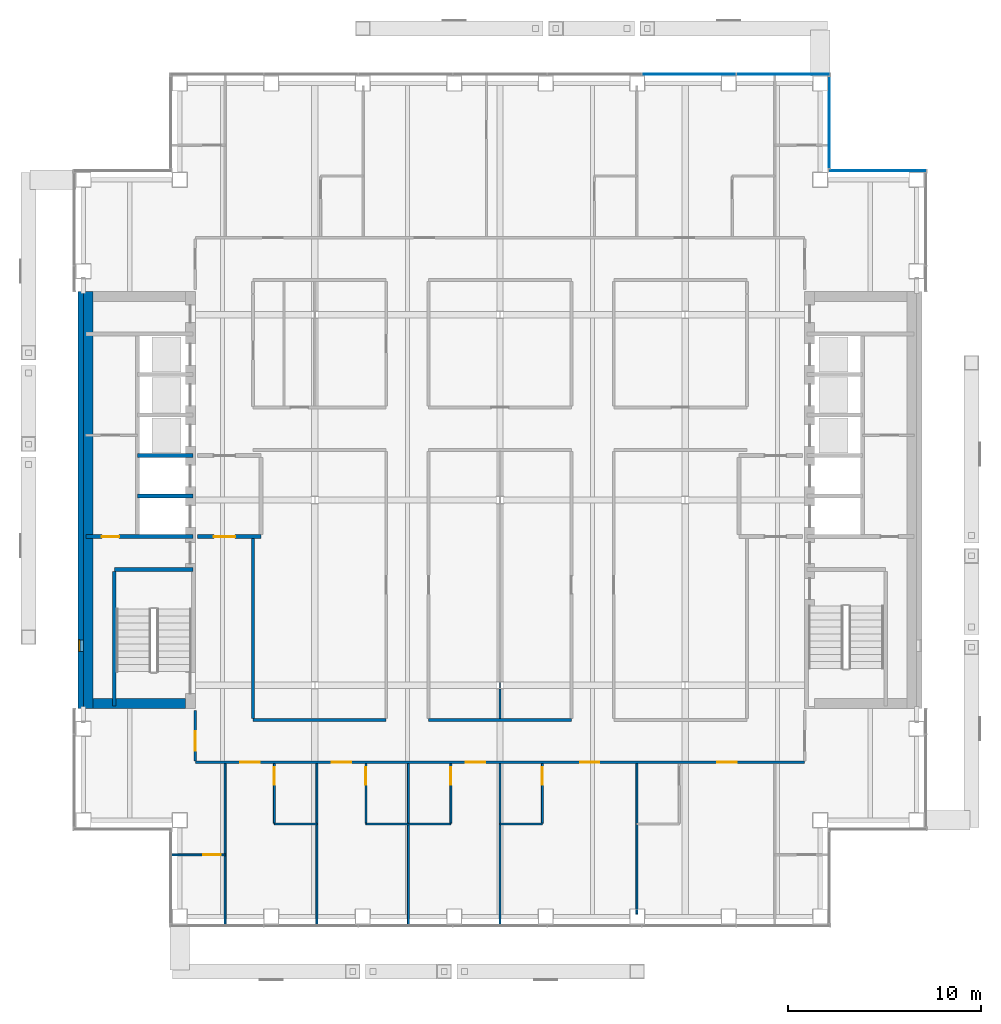
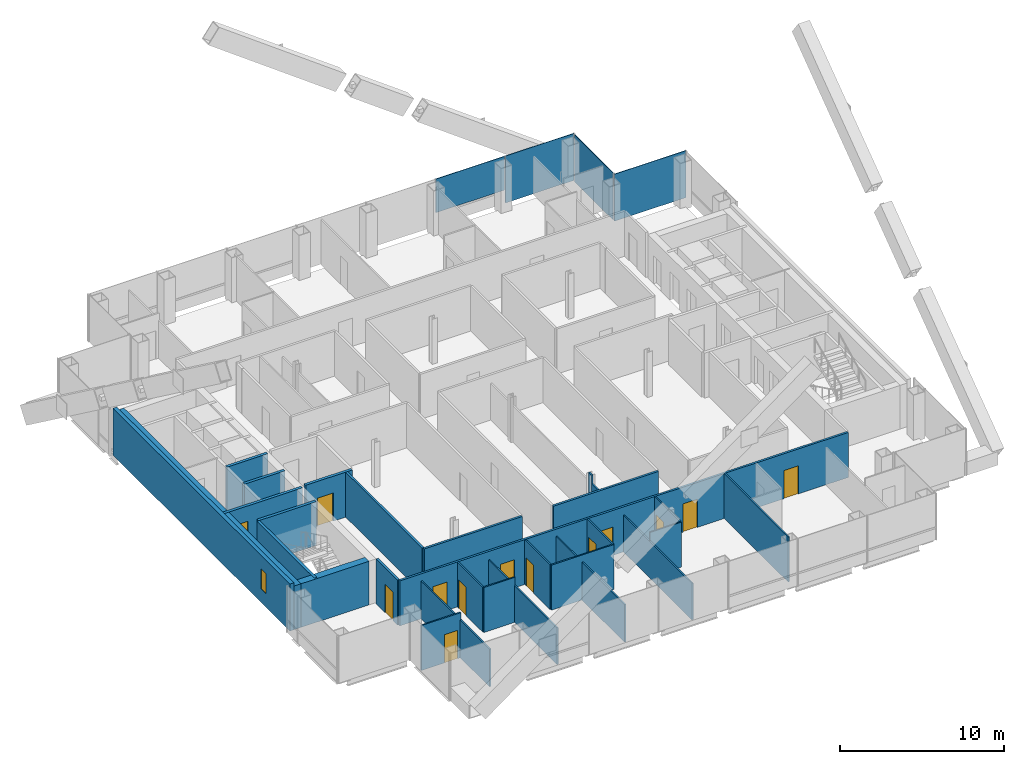
# One storey, part 12 of 17: 30 walls, 13 doors, 4 plates, 1 window, 14 openings, 3 elements without a shape of their own.
"""IFC4 building model written with IfcOpenShell, lengths in metres."""

import ifcopenshell
import ifcopenshell.guid

model = None  # the IFC model being written
_history = None  # IfcOwnerHistory: only IFC2X3 demands one
_inside = {}  # id of a spatial element -> (the spatial element, [elements in it])
_under = {}  # id of a project, library or spatial element -> (it, [spatial elements below it])
_declared = {}  # id of a project -> (the project, [libraries it declares])
_typed = {}  # id of a type object -> (the type object, [elements of that type])
_made_of = {}  # id of a material, layer set ... -> (it, [elements and type objects made of it])


def new_model(schema):
    """Start an empty IFC model of exactly this schema.

    Asked for "IFC4X3", IfcOpenShell would pick the latest addendum, in which some entities
    have other attributes; the version numbers below select the first issue.
    IFC2X3 requires an IfcOwnerHistory on every rooted entity: one is made here for all.
    """
    global model, _history
    if schema == "IFC4X3":
        model = ifcopenshell.file(schema_version=(4, 3, 0, 0))
    else:
        model = ifcopenshell.file(schema=schema)
    _inside.clear()
    _under.clear()
    _declared.clear()
    _typed.clear()
    _made_of.clear()
    _history = None
    if model.schema == "IFC2X3":
        org = make("IfcOrganization", Name="unknown")
        user = make(
            "IfcPersonAndOrganization",
            ThePerson=make("IfcPerson", FamilyName="unknown"),
            TheOrganization=org,
        )
        app = make(
            "IfcApplication",
            ApplicationDeveloper=org,
            Version="unknown",
            ApplicationFullName="unknown",
            ApplicationIdentifier="unknown",
        )
        _history = make(
            "IfcOwnerHistory",
            OwningUser=user,
            OwningApplication=app,
            ChangeAction="ADDED",
            CreationDate=0,
        )
    return model


def make(cls, **values):
    """One entity of the class cls with the attributes given. An attribute that is None is left unset."""
    return model.create_entity(
        cls, **{name: value for name, value in values.items() if value is not None}
    )


def rooted(cls, **values):
    """An entity with a GlobalId (a new one), such as an element, a storey or a relation."""
    return make(cls, GlobalId=ifcopenshell.guid.new(), OwnerHistory=_history, **values)


def si_unit(unit_type, name, prefix=None):
    """IfcSIUnit, for example si_unit("LENGTHUNIT", "METRE", prefix="MILLI")."""
    return make("IfcSIUnit", UnitType=unit_type, Prefix=prefix, Name=name)


def assignment(units):
    """IfcUnitAssignment: the units of a project."""
    return None if units is None else make("IfcUnitAssignment", Units=units)


def point(xyz):
    """IfcCartesianPoint."""
    return None if xyz is None else make("IfcCartesianPoint", Coordinates=xyz)


def direction(xyz):
    """IfcDirection."""
    return None if xyz is None else make("IfcDirection", DirectionRatios=xyz)


def frame(location, z_axis=None, x_axis=None):
    """IfcAxis2Placement3D, a coordinate frame: its origin and axes. An axis left out is left unset."""
    return make(
        "IfcAxis2Placement3D",
        Location=point(location),
        Axis=direction(z_axis),
        RefDirection=direction(x_axis),
    )


def frame_2d(location, x_axis=None):
    """IfcAxis2Placement2D, a coordinate frame in the plane: its origin and x axis."""
    return make(
        "IfcAxis2Placement2D", Location=point(location), RefDirection=direction(x_axis)
    )


def origin():
    """The frame at (0, 0, 0) with its axes left unset."""
    return frame((0.0, 0.0, 0.0))


def origin_2d():
    """The frame at (0, 0) in the plane with its x axis left unset."""
    return frame_2d((0.0, 0.0))


def place(relative_to, where):
    """IfcLocalPlacement: puts the frame where relative to a parent placement (None: the world)."""
    return make(
        "IfcLocalPlacement", PlacementRelTo=relative_to, RelativePlacement=where
    )


def context(
    kind, dimensions, precision=None, world=None, true_north=None, identifier=None
):
    """IfcGeometricRepresentationContext, for example the 3D "Model" context."""
    return make(
        "IfcGeometricRepresentationContext",
        ContextIdentifier=identifier,
        ContextType=kind,
        CoordinateSpaceDimension=dimensions,
        Precision=precision,
        WorldCoordinateSystem=world,
        TrueNorth=true_north,
    )


def subcontext(parent, identifier, kind, view, scale=None):
    """IfcGeometricRepresentationSubContext, for example "Body" below "Model"."""
    return make(
        "IfcGeometricRepresentationSubContext",
        ContextIdentifier=identifier,
        ContextType=kind,
        ParentContext=parent,
        TargetScale=scale,
        TargetView=view,
    )


def project(units=None, contexts=None):
    """IfcProject with its units and contexts."""
    return rooted(
        "IfcProject",
        Name="project",
        RepresentationContexts=contexts,
        UnitsInContext=assignment(units),
    )


def spatial(cls, under=None, at=None, **own):
    """A site, building, storey or space (cls), placed at a placement, below another one or the project."""
    s = rooted(cls, ObjectPlacement=at, **own)
    if under is not None:
        _under.setdefault(under.id(), (under, []))[1].append(s)
    return s


def profile(cls, at=None, kind="AREA", **sizes):
    """A parametric profile (cls). Its sizes go by their IFC names, for example OverallWidth=200.0."""
    return make(cls, ProfileType=kind, Position=at, **sizes)


def rectangle(**sizes):
    """IfcRectangleProfileDef."""
    return profile("IfcRectangleProfileDef", **sizes)


def extrude(swept, where, along, depth):
    """IfcExtrudedAreaSolid: the profile swept, set in the frame where, extruded along a direction by depth."""
    return make(
        "IfcExtrudedAreaSolid",
        SweptArea=swept,
        Position=where,
        ExtrudedDirection=direction(along),
        Depth=depth,
    )


def shape(context_of_items, identifier, shape_type, items):
    """IfcShapeRepresentation: the items that make up one representation, for example the "Body"."""
    return make(
        "IfcShapeRepresentation",
        ContextOfItems=context_of_items,
        RepresentationIdentifier=identifier,
        RepresentationType=shape_type,
        Items=items,
    )


def material(Name=None, Category=None):
    """IfcMaterial."""
    return make("IfcMaterial", Name=Name, Category=Category)


def layer(
    of_material, thickness, ventilated=None, Name=None, Category=None, Priority=None
):
    """IfcMaterialLayer: one layer of a wall or slab, of a material (None: an air gap)."""
    return make(
        "IfcMaterialLayer",
        Material=of_material,
        LayerThickness=thickness,
        IsVentilated=ventilated,
        Name=Name,
        Category=Category,
        Priority=Priority,
    )


def layer_set(layers, Name=None):
    """IfcMaterialLayerSet."""
    return make("IfcMaterialLayerSet", MaterialLayers=layers, LayerSetName=Name)


def made_of(thing, what):
    """Note that an element or type object is made of a material, layer set ...; save() writes the relation."""
    if what is not None:
        _made_of.setdefault(what.id(), (what, []))[1].append(thing)
    return thing


def type_object(cls, material=None, **own):
    """A type object (cls), such as IfcWallType, which elements share."""
    return made_of(rooted(cls, **own), material)


def element(
    cls,
    number,
    at=None,
    inside=None,
    cuts=None,
    type_object=None,
    material=None,
    context=None,
    identifier="Body",
    shape_type=None,
    held_by="IfcProductDefinitionShape",
    body=None,
    shapes=None,
    **own,
):
    """One element of the class cls, such as IfcWall. Its Tag is "e" and its number.

    at: its placement. inside: the storey or other place that contains it. cuts: it is an
    opening in that element (IfcRelVoidsElement). A single representation is given by context,
    identifier, shape_type and body (its items); several are given by shapes. held_by: the class
    of the entity that holds the representations. save() writes the other relations.
    """
    e = rooted(cls, Tag="e%d" % number, ObjectPlacement=at, **own)
    if body is not None:
        shapes = [shape(context, identifier, shape_type, body)]
    if shapes is not None:
        e.Representation = make(held_by, Representations=shapes)
    if inside is not None:
        _inside.setdefault(inside.id(), (inside, []))[1].append(e)
    if cuts is not None:
        rooted(
            "IfcRelVoidsElement", RelatingBuildingElement=cuts, RelatedOpeningElement=e
        )
    if type_object is not None:
        _typed.setdefault(type_object.id(), (type_object, []))[1].append(e)
    return made_of(e, material)


def fill(opening, filler):
    """IfcRelFillsElement: the door or window that sits in an opening."""
    return rooted(
        "IfcRelFillsElement",
        RelatingOpeningElement=opening,
        RelatedBuildingElement=filler,
    )


def aggregate(whole, parts):
    """IfcRelAggregates: a whole, such as a stair, and the parts it consists of."""
    return rooted("IfcRelAggregates", RelatingObject=whole, RelatedObjects=parts)


def save(model, path):
    """Write the relations noted so far, then the file.

    IfcRelAggregates (storeys below a building ...), IfcRelContainedInSpatialStructure (elements
    in a storey), IfcRelDefinesByType, IfcRelAssociatesMaterial and IfcRelDeclares: one each for
    every whole, place, type object, material and project.
    """
    for whole, parts in _under.values():
        aggregate(whole, parts)
    for where, things in _inside.values():
        rooted(
            "IfcRelContainedInSpatialStructure",
            RelatedElements=things,
            RelatingStructure=where,
        )
    for kind, things in _typed.values():
        rooted("IfcRelDefinesByType", RelatedObjects=things, RelatingType=kind)
    for what, things in _made_of.values():
        rooted("IfcRelAssociatesMaterial", RelatedObjects=things, RelatingMaterial=what)
    for by, libraries in _declared.values():
        rooted("IfcRelDeclares", RelatingContext=by, RelatedDefinitions=libraries)
    model.write(path)


model = new_model("IFC4")

# Units and contexts
model_context = context("Model", 3, precision=1e-05, world=origin(), true_north=direction((0.0, 1.0)))
body_context = subcontext(model_context, "Body", "Model", "MODEL_VIEW")
ifc_project = project(units=[si_unit("LENGTHUNIT", "METRE"), si_unit("AREAUNIT", "SQUARE_METRE"), si_unit("VOLUMEUNIT", "CUBIC_METRE"), si_unit("PLANEANGLEUNIT", "RADIAN"), si_unit("MASSUNIT", "GRAM", prefix="KILO")], contexts=[model_context])

# Site, building, storey
site_placement = place(None, origin())
site = spatial("IfcSite", under=ifc_project, at=site_placement, CompositionType="ELEMENT")
building_placement = place(site_placement, origin())
building = spatial("IfcBuilding", under=site, at=building_placement, Name="Cobrizo Arcos Hotel Tower", CompositionType="ELEMENT")
storey_placement = place(building_placement, frame((0.0, 0.0, 151.5)))
storey = spatial("IfcBuildingStorey", under=building, at=storey_placement, Name="L38", CompositionType="ELEMENT", Elevation=151.5)

# Curtain wall, plate
ifc_material_1 = material(Name="Aluminium 6063-T6 anodised bronze", Category="aluminium")
curtain_wall_type = type_object("IfcCurtainWallType", Name="CW-A guest facade", PredefinedType="NOTDEFINED", material=ifc_material_1)
curtain_wall_1_placement = place(storey_placement, origin())
curtain_wall_1 = element("IfcCurtainWall", 1, at=curtain_wall_1_placement, inside=storey, type_object=curtain_wall_type, Name="CW-A L38 N face", PredefinedType="NOTDEFINED")
ifc_material_2 = material(Name="Glass clear laminated low-e", Category="glass")
ifc_layer_1 = layer(ifc_material_2, 0.0400390625)
ifc_layer_set_1 = layer_set([ifc_layer_1], Name="CW-A glass panel")
plate_type_1 = type_object("IfcPlateType", Name="CW-A glass panel", PredefinedType="CURTAIN_PANEL", material=ifc_layer_set_1)
plate_1_placement = place(storey_placement, frame((9.800048828125, 22.074951171875, 0.990234375), z_axis=(0.0, 0.0, 1.0), x_axis=(-1.0, 0.0, 0.0)))
plate_1 = element("IfcPlate", 2, at=plate_1_placement, type_object=plate_type_1, Name="CW-A glass panel 1382", PredefinedType="CURTAIN_PANEL", context=body_context, shape_type="SweptSolid", body=[
    extrude(rectangle(XDim=4.840087890625, YDim=0.0400390625, at=origin_2d()), origin(), (0.0, 0.0, 1.0), 2.510009765625),
])

curtain_wall_2_placement = place(storey_placement, origin())
curtain_wall_2 = element("IfcCurtainWall", 3, at=curtain_wall_2_placement, inside=storey, type_object=curtain_wall_type, Name="CW-A L38 N face", PredefinedType="NOTDEFINED")
ifc_material_3 = material(Name="Aluminium composite panel pale metal", Category="aluminium")
ifc_layer_2 = layer(ifc_material_3, 0.0400390625)
ifc_layer_set_2 = layer_set([ifc_layer_2], Name="CW-A spandrel panel")
plate_type_2 = type_object("IfcPlateType", Name="CW-A spandrel panel", PredefinedType="CURTAIN_PANEL", material=ifc_layer_set_2)
plate_2_placement = place(storey_placement, frame((19.574951171875, 17.074951171875, 0.0), z_axis=(0.0, 0.0, 1.0), x_axis=(-1.0, 0.0, 0.0)))
plate_2 = element("IfcPlate", 4, at=plate_2_placement, type_object=plate_type_2, Name="CW-A spandrel panel 1379", PredefinedType="CURTAIN_PANEL", context=body_context, shape_type="SweptSolid", body=[
    extrude(rectangle(XDim=5.030029296875, YDim=0.0400390625, at=origin_2d()), origin(), (0.0, 0.0, 1.0), 3.5),
])
aggregate(curtain_wall_2, [plate_2])

curtain_wall_3_placement = place(storey_placement, origin())
curtain_wall_3 = element("IfcCurtainWall", 5, at=curtain_wall_3_placement, inside=storey, type_object=curtain_wall_type, Name="CW-A L38 E face", PredefinedType="NOTDEFINED")
plate_3_placement = place(storey_placement, frame((17.074951171875, 19.574951171875, 0.0), z_axis=(0.0, 0.0, 1.0), x_axis=(0.0, 1.0, 0.0)))
plate_3 = element("IfcPlate", 6, at=plate_3_placement, type_object=plate_type_2, Name="CW-A spandrel panel 1380", PredefinedType="CURTAIN_PANEL", context=body_context, shape_type="SweptSolid", body=[
    extrude(rectangle(XDim=4.72998046875, YDim=0.0400390625, at=origin_2d()), origin(), (0.0, 0.0, 1.0), 3.5),
])
aggregate(curtain_wall_3, [plate_3])

# Plate
plate_4_placement = place(storey_placement, frame((14.68505859375, 22.074951171875, 0.0), z_axis=(0.0, 0.0, 1.0), x_axis=(-1.0, 0.0, 0.0)))
plate_4 = element("IfcPlate", 7, at=plate_4_placement, type_object=plate_type_2, Name="CW-A spandrel panel 1381", PredefinedType="CURTAIN_PANEL", context=body_context, shape_type="SweptSolid", body=[
    extrude(rectangle(XDim=4.81005859375, YDim=0.0400390625, at=origin_2d()), origin(), (0.0, 0.0, 1.0), 3.5),
])

aggregate(curtain_wall_1, [plate_4, plate_1])

# Wall, openings, doors
ifc_material_4 = material(Name="Gypsum board partition")
ifc_layer_3 = layer(ifc_material_4, 0.14990234375)
ifc_layer_set_3 = layer_set([ifc_layer_3], Name="Corridor wall EI 60 150")
wall_type_1 = type_object("IfcWallType", Name="Corridor wall EI 60 150", PredefinedType="PARTITIONING", material=ifc_layer_set_3)
wall_1_placement = place(storey_placement, frame((-15.800048828125, -13.60009765625, 0.0), z_axis=(0.0, 0.0, 1.0), x_axis=(1.0, 0.0, 0.0)))
wall_1 = element("IfcWall", 8, at=wall_1_placement, inside=storey, type_object=wall_type_1, Name="Partition 007", PredefinedType="PARTITIONING", context=body_context, shape_type="SweptSolid", body=[
    extrude(rectangle(XDim=31.60009765625, YDim=0.14990234375, at=frame_2d((15.800048828125, 0.0))), origin(), (0.0, 0.0, 1.0), 3.35009765625),
])
opening_1_placement = place(wall_1_placement, frame((2.343017578125, 0.0, 0.0)))
opening_1 = element("IfcOpeningElement", 9, at=opening_1_placement, cuts=wall_1, Name="Opening GD-04", PredefinedType="OPENING", context=body_context, shape_type="SweptSolid", body=[
    extrude(rectangle(XDim=1.0, YDim=2.10009765625, at=frame_2d((0.5, 1.050048828125))), frame((0.0, 0.0869140625, 0.0), z_axis=(0.0, -1.0, 0.0), x_axis=(1.0, 0.0, 0.0)), (0.0, 0.0, 1.0), 0.173828125),
])
opening_2_placement = place(wall_1_placement, frame((7.0849609375, 0.0, 0.0)))
opening_2 = element("IfcOpeningElement", 10, at=opening_2_placement, cuts=wall_1, Name="Opening GD-05", PredefinedType="OPENING", context=body_context, shape_type="SweptSolid", body=[
    extrude(rectangle(XDim=1.0, YDim=2.10009765625, at=frame_2d((0.5, 1.050048828125))), frame((0.0, 0.0869140625, 0.0), z_axis=(0.0, -1.0, 0.0), x_axis=(1.0, 0.0, 0.0)), (0.0, 0.0, 1.0), 0.173828125),
])
opening_3_placement = place(wall_1_placement, frame((14.029052734375, 0.0, 0.0)))
opening_3 = element("IfcOpeningElement", 11, at=opening_3_placement, cuts=wall_1, Name="Opening GD-06", PredefinedType="OPENING", context=body_context, shape_type="SweptSolid", body=[
    extrude(rectangle(XDim=1.0, YDim=2.10009765625, at=frame_2d((0.5, 1.050048828125))), frame((0.0, 0.0869140625, 0.0), z_axis=(0.0, -1.0, 0.0), x_axis=(1.0, 0.0, 0.0)), (0.0, 0.0, 1.0), 0.173828125),
])
opening_4_placement = place(wall_1_placement, frame((19.95703125, 0.0, 0.0)))
opening_4 = element("IfcOpeningElement", 12, at=opening_4_placement, cuts=wall_1, Name="Opening GD-07", PredefinedType="OPENING", context=body_context, shape_type="SweptSolid", body=[
    extrude(rectangle(XDim=1.0, YDim=2.10009765625, at=frame_2d((0.5, 1.050048828125))), frame((0.0, 0.0869140625, 0.0), z_axis=(0.0, -1.0, 0.0), x_axis=(1.0, 0.0, 0.0)), (0.0, 0.0, 1.0), 0.173828125),
])
opening_5_placement = place(wall_1_placement, frame((27.072021484375, 0.0, 0.0)))
opening_5 = element("IfcOpeningElement", 13, at=opening_5_placement, cuts=wall_1, Name="Opening GD-08", PredefinedType="OPENING", context=body_context, shape_type="SweptSolid", body=[
    extrude(rectangle(XDim=1.0, YDim=2.10009765625, at=frame_2d((0.5, 1.050048828125))), frame((0.0, 0.0869140625, 0.0), z_axis=(0.0, -1.0, 0.0), x_axis=(1.0, 0.0, 0.0)), (0.0, 0.0, 1.0), 0.173828125),
])
ifc_material_5 = material(Name="Timber door leaf", Category="wood")
door_type_1 = type_object("IfcDoorType", Name="Guest room door FD30S 1000x2100", OperationType="SINGLE_SWING_LEFT", PredefinedType="DOOR", material=ifc_material_5)
door_1_placement = place(opening_1_placement, origin())
door_1 = element("IfcDoor", 14, at=door_1_placement, inside=storey, type_object=door_type_1, Name="Door GD-04", OperationType="SINGLE_SWING_LEFT", OverallHeight=2.10009765625, OverallWidth=1.0, PredefinedType="DOOR", context=body_context, shape_type="SweptSolid", body=[
    extrude(rectangle(XDim=1.0, YDim=2.10009765625, at=frame_2d((0.5, 1.050048828125))), frame((0.0, 0.02490234375, 0.0), z_axis=(0.0, -1.0, 0.0), x_axis=(1.0, 0.0, 0.0)), (0.0, 0.0, 1.0), 0.050048828125),
])
fill(opening_1, door_1)
door_2_placement = place(opening_2_placement, origin())
door_2 = element("IfcDoor", 15, at=door_2_placement, inside=storey, type_object=door_type_1, Name="Door GD-05", OperationType="SINGLE_SWING_LEFT", OverallHeight=2.10009765625, OverallWidth=1.0, PredefinedType="DOOR", context=body_context, shape_type="SweptSolid", body=[
    extrude(rectangle(XDim=1.0, YDim=2.10009765625, at=frame_2d((0.5, 1.050048828125))), frame((0.0, 0.02490234375, 0.0), z_axis=(0.0, -1.0, 0.0), x_axis=(1.0, 0.0, 0.0)), (0.0, 0.0, 1.0), 0.050048828125),
])
fill(opening_2, door_2)
door_3_placement = place(opening_3_placement, origin())
door_3 = element("IfcDoor", 16, at=door_3_placement, inside=storey, type_object=door_type_1, Name="Door GD-06", OperationType="SINGLE_SWING_RIGHT", OverallHeight=2.10009765625, OverallWidth=1.0, PredefinedType="DOOR", context=body_context, shape_type="SweptSolid", body=[
    extrude(rectangle(XDim=1.0, YDim=2.10009765625, at=frame_2d((0.5, 1.050048828125))), frame((0.0, 0.02490234375, 0.0), z_axis=(0.0, -1.0, 0.0), x_axis=(1.0, 0.0, 0.0)), (0.0, 0.0, 1.0), 0.050048828125),
])
fill(opening_3, door_3)
door_4_placement = place(opening_4_placement, origin())
door_4 = element("IfcDoor", 17, at=door_4_placement, inside=storey, type_object=door_type_1, Name="Door GD-07", OperationType="SINGLE_SWING_RIGHT", OverallHeight=2.10009765625, OverallWidth=1.0, PredefinedType="DOOR", context=body_context, shape_type="SweptSolid", body=[
    extrude(rectangle(XDim=1.0, YDim=2.10009765625, at=frame_2d((0.5, 1.050048828125))), frame((0.0, 0.02490234375, 0.0), z_axis=(0.0, -1.0, 0.0), x_axis=(1.0, 0.0, 0.0)), (0.0, 0.0, 1.0), 0.050048828125),
])
fill(opening_4, door_4)
door_5_placement = place(opening_5_placement, origin())
door_5 = element("IfcDoor", 18, at=door_5_placement, inside=storey, type_object=door_type_1, Name="Door GD-08", OperationType="SINGLE_SWING_LEFT", OverallHeight=2.10009765625, OverallWidth=1.0, PredefinedType="DOOR", context=body_context, shape_type="SweptSolid", body=[
    extrude(rectangle(XDim=1.0, YDim=2.10009765625, at=frame_2d((0.5, 1.050048828125))), frame((0.0, 0.02490234375, 0.0), z_axis=(0.0, -1.0, 0.0), x_axis=(1.0, 0.0, 0.0)), (0.0, 0.0, 1.0), 0.050048828125),
])
fill(opening_5, door_5)

# Walls
wall_2_placement = place(storey_placement, frame((-12.800048828125, -11.39990234375, 0.0), z_axis=(0.0, 0.0, 1.0), x_axis=(1.0, 0.0, 0.0)))
element("IfcWall", 19, at=wall_2_placement, inside=storey, type_object=wall_type_1, Name="Partition 008", PredefinedType="PARTITIONING", context=body_context, shape_type="SweptSolid", body=[
    extrude(rectangle(XDim=6.900146484375, YDim=0.14990234375, at=frame_2d((3.4501953125, 0.0))), origin(), (0.0, 0.0, 1.0), 3.35009765625),
])
wall_3_placement = place(storey_placement, frame((-3.699951171875, -11.39990234375, 0.0), z_axis=(0.0, 0.0, 1.0), x_axis=(1.0, 0.0, 0.0)))
element("IfcWall", 20, at=wall_3_placement, inside=storey, type_object=wall_type_1, Name="Partition 009", PredefinedType="PARTITIONING", context=body_context, shape_type="SweptSolid", body=[
    extrude(rectangle(XDim=7.39990234375, YDim=0.14990234375, at=frame_2d((3.699951171875, 0.0))), origin(), (0.0, 0.0, 1.0), 3.35009765625),
])

# Wall, opening, door
wall_4_placement = place(storey_placement, frame((-15.800048828125, -13.52490234375, 0.0), z_axis=(0.0, 0.0, 1.0), x_axis=(0.0, 1.0, 0.0)))
wall_4 = element("IfcWall", 21, at=wall_4_placement, inside=storey, type_object=wall_type_1, Name="Partition 049", PredefinedType="PARTITIONING", context=body_context, shape_type="SweptSolid", body=[
    extrude(rectangle(XDim=2.60498046875, YDim=0.14990234375, at=frame_2d((1.302490234375, 0.0))), origin(), (0.0, 0.0, 1.0), 3.35009765625),
])
opening_6_placement = place(wall_4_placement, frame((0.52490234375, 0.0, 0.0)))
opening_6 = element("IfcOpeningElement", 22, at=opening_6_placement, cuts=wall_4, Name="Opening GD-09", PredefinedType="OPENING", context=body_context, shape_type="SweptSolid", body=[
    extrude(rectangle(XDim=1.0, YDim=2.10009765625, at=frame_2d((0.5, 1.050048828125))), frame((0.0, 0.0869140625, 0.0), z_axis=(0.0, -1.0, 0.0), x_axis=(1.0, 0.0, 0.0)), (0.0, 0.0, 1.0), 0.173828125),
])
door_6_placement = place(opening_6_placement, origin())
door_6 = element("IfcDoor", 23, at=door_6_placement, inside=storey, type_object=door_type_1, Name="Door GD-09", OperationType="SINGLE_SWING_RIGHT", OverallHeight=2.10009765625, OverallWidth=1.0, PredefinedType="DOOR", context=body_context, shape_type="SweptSolid", body=[
    extrude(rectangle(XDim=1.0, YDim=2.10009765625, at=frame_2d((0.5, 1.050048828125))), frame((0.0, 0.02490234375, 0.0), z_axis=(0.0, -1.0, 0.0), x_axis=(1.0, 0.0, 0.0)), (0.0, 0.0, 1.0), 0.050048828125),
])
fill(opening_6, door_6)

# Wall
wall_5_placement = place(storey_placement, frame((-12.800048828125, -11.324951171875, 0.0), z_axis=(0.0, 0.0, 1.0), x_axis=(0.0, 1.0, 0.0)))
element("IfcWall", 24, at=wall_5_placement, inside=storey, type_object=wall_type_1, Name="Partition 053", PredefinedType="PARTITIONING", context=body_context, shape_type="SweptSolid", body=[
    extrude(rectangle(XDim=9.324951171875, YDim=0.14990234375, at=frame_2d((4.66259765625, 0.0))), origin(), (0.0, 0.0, 1.0), 3.35009765625),
])

# Wall, opening, window
ifc_layer_4 = layer(ifc_material_3, 0.27490234375)
ifc_layer_set_4 = layer_set([ifc_layer_4], Name="EW-1 insulated panel wall 275")
wall_type_2 = type_object("IfcWallType", Name="EW-1 insulated panel wall 275", PredefinedType="SOLIDWALL", material=ifc_layer_set_4)
wall_6_placement = place(storey_placement, frame((-21.737548828125, 10.800048828125, 0.0), z_axis=(0.0, 0.0, 1.0), x_axis=(0.0, -1.0, 0.0)))
wall_6 = element("IfcWall", 25, at=wall_6_placement, inside=storey, type_object=wall_type_2, Name="Core face wall L38 W", PredefinedType="SOLIDWALL", context=body_context, shape_type="SweptSolid", body=[
    extrude(rectangle(XDim=21.60009765625, YDim=0.27490234375, at=frame_2d((10.800048828125, 0.0))), origin(), (0.0, 0.0, 1.0), 3.5),
])
opening_7_placement = place(wall_6_placement, frame((18.050048828125, 0.0, 1.0)))
opening_7 = element("IfcOpeningElement", 26, at=opening_7_placement, cuts=wall_6, Name="Opening W-84", PredefinedType="OPENING", context=body_context, shape_type="SweptSolid", body=[
    extrude(rectangle(XDim=0.60009765625, YDim=1.5, at=frame_2d((0.300048828125, 0.75))), frame((0.0, 0.1494140625, 0.0), z_axis=(0.0, -1.0, 0.0), x_axis=(1.0, 0.0, 0.0)), (0.0, 0.0, 1.0), 0.298828125),
])
ifc_material_6 = material(Name="Aluminium 6063-T6 and clear laminated glass", Category="aluminium")
window_type = type_object("IfcWindowType", Name="W-C1 core stair slot window 600x1500", PartitioningType="SINGLE_PANEL", PredefinedType="WINDOW", material=ifc_material_6)
window_placement = place(opening_7_placement, origin())
window = element("IfcWindow", 27, at=window_placement, inside=storey, type_object=window_type, Name="Core face wall L38 W window W-84", OverallHeight=1.5, OverallWidth=0.60009765625, PartitioningType="SINGLE_PANEL", PredefinedType="WINDOW", context=body_context, shape_type="SweptSolid", body=[
    extrude(rectangle(XDim=0.60009765625, YDim=1.5, at=frame_2d((0.300048828125, 0.75))), frame((0.0, -0.04736328125, 0.0), z_axis=(0.0, -1.0, 0.0), x_axis=(1.0, 0.0, 0.0)), (0.0, 0.0, 1.0), 0.06005859375),
])
fill(opening_7, window)

# Wall, opening, door
ifc_layer_5 = layer(ifc_material_4, 0.10009765625)
ifc_layer_set_5 = layer_set([ifc_layer_5], Name="Partition EI 30 100")
wall_type_3 = type_object("IfcWallType", Name="Partition EI 30 100", PredefinedType="PARTITIONING", material=ifc_layer_set_5)
wall_7_placement = place(storey_placement, frame((-17.030029296875, -18.39990234375, 0.0), z_axis=(0.0, 0.0, 1.0), x_axis=(1.0, 0.0, 0.0)))
wall_7 = element("IfcWall", 28, at=wall_7_placement, inside=storey, type_object=wall_type_3, Name="Partition 001", PredefinedType="PARTITIONING", context=body_context, shape_type="SweptSolid", body=[
    extrude(rectangle(XDim=2.780029296875, YDim=0.10009765625, at=frame_2d((1.39013671875, 0.0))), origin(), (0.0, 0.0, 1.0), 3.35009765625),
])
opening_8_placement = place(wall_7_placement, frame((1.639892578125, 0.0, 0.0)))
opening_8 = element("IfcOpeningElement", 29, at=opening_8_placement, cuts=wall_7, Name="Opening ED-09", PredefinedType="OPENING", context=body_context, shape_type="SweptSolid", body=[
    extrude(rectangle(XDim=0.89990234375, YDim=2.10009765625, at=frame_2d((0.449951171875, 1.050048828125))), frame((0.0, 0.06201171875, 0.0), z_axis=(0.0, -1.0, 0.0), x_axis=(1.0, 0.0, 0.0)), (0.0, 0.0, 1.0), 0.1240234375),
])
door_type_2 = type_object("IfcDoorType", Name="En-suite door 900x2100", OperationType="SINGLE_SWING_LEFT", PredefinedType="DOOR", material=ifc_material_5)
door_7_placement = place(opening_8_placement, origin())
door_7 = element("IfcDoor", 30, at=door_7_placement, inside=storey, type_object=door_type_2, Name="Door ED-09", OperationType="SINGLE_SWING_LEFT", OverallHeight=2.10009765625, OverallWidth=0.89990234375, PredefinedType="DOOR", context=body_context, shape_type="SweptSolid", body=[
    extrude(rectangle(XDim=0.89990234375, YDim=2.10009765625, at=frame_2d((0.449951171875, 1.050048828125))), frame((0.0, 0.02490234375, 0.0), z_axis=(0.0, -1.0, 0.0), x_axis=(1.0, 0.0, 0.0)), (0.0, 0.0, 1.0), 0.050048828125),
])
fill(opening_8, door_7)

# Walls
wall_8_placement = place(storey_placement, frame((-11.699951171875, -16.800048828125, 0.0), z_axis=(0.0, 0.0, 1.0), x_axis=(1.0, 0.0, 0.0)))
element("IfcWall", 31, at=wall_8_placement, inside=storey, type_object=wall_type_3, Name="Partition 003", PredefinedType="PARTITIONING", context=body_context, shape_type="SweptSolid", body=[
    extrude(rectangle(XDim=2.199951171875, YDim=0.10009765625, at=frame_2d((1.10009765625, 0.0))), origin(), (0.0, 0.0, 1.0), 3.35009765625),
])
wall_9_placement = place(storey_placement, frame((-6.949951171875, -16.800048828125, 0.0), z_axis=(0.0, 0.0, 1.0), x_axis=(1.0, 0.0, 0.0)))
element("IfcWall", 32, at=wall_9_placement, inside=storey, type_object=wall_type_3, Name="Partition 004", PredefinedType="PARTITIONING", context=body_context, shape_type="SweptSolid", body=[
    extrude(rectangle(XDim=4.39990234375, YDim=0.10009765625, at=frame_2d((2.199951171875, 0.0))), origin(), (0.0, 0.0, 1.0), 3.35009765625),
])
wall_10_placement = place(storey_placement, frame((0.0, -16.800048828125, 0.0), z_axis=(0.0, 0.0, 1.0), x_axis=(1.0, 0.0, 0.0)))
element("IfcWall", 33, at=wall_10_placement, inside=storey, type_object=wall_type_3, Name="Partition 005", PredefinedType="PARTITIONING", context=body_context, shape_type="SweptSolid", body=[
    extrude(rectangle(XDim=2.199951171875, YDim=0.10009765625, at=frame_2d((1.10009765625, 0.0))), origin(), (0.0, 0.0, 1.0), 3.35009765625),
])
wall_11_placement = place(storey_placement, frame((-14.25, -22.030029296875, 0.0), z_axis=(0.0, 0.0, 1.0), x_axis=(0.0, 1.0, 0.0)))
element("IfcWall", 34, at=wall_11_placement, inside=storey, type_object=wall_type_3, Name="Partition 051", PredefinedType="PARTITIONING", context=body_context, shape_type="SweptSolid", body=[
    extrude(rectangle(XDim=8.35498046875, YDim=0.10009765625, at=frame_2d((4.177490234375, 0.0))), origin(), (0.0, 0.0, 1.0), 2.81689453125),
])

# Wall, opening, door
wall_12_placement = place(storey_placement, frame((-11.699951171875, -16.75, 0.0), z_axis=(0.0, 0.0, 1.0), x_axis=(0.0, 1.0, 0.0)))
wall_12 = element("IfcWall", 35, at=wall_12_placement, inside=storey, type_object=wall_type_3, Name="Partition 057", PredefinedType="PARTITIONING", context=body_context, shape_type="SweptSolid", body=[
    extrude(rectangle(XDim=3.074951171875, YDim=0.10009765625, at=frame_2d((1.53759765625, 0.0))), origin(), (0.0, 0.0, 1.0), 3.35009765625),
])
opening_9_placement = place(wall_12_placement, frame((1.99609375, 0.0, 0.0)))
opening_9 = element("IfcOpeningElement", 36, at=opening_9_placement, cuts=wall_12, Name="Opening ED-04", PredefinedType="OPENING", context=body_context, shape_type="SweptSolid", body=[
    extrude(rectangle(XDim=0.89990234375, YDim=2.10009765625, at=frame_2d((0.449951171875, 1.050048828125))), frame((0.0, 0.06201171875, 0.0), z_axis=(0.0, -1.0, 0.0), x_axis=(1.0, 0.0, 0.0)), (0.0, 0.0, 1.0), 0.1240234375),
])
door_8_placement = place(opening_9_placement, origin())
door_8 = element("IfcDoor", 37, at=door_8_placement, inside=storey, type_object=door_type_2, Name="Door ED-04", OperationType="SINGLE_SWING_RIGHT", OverallHeight=2.10009765625, OverallWidth=0.89990234375, PredefinedType="DOOR", context=body_context, shape_type="SweptSolid", body=[
    extrude(rectangle(XDim=0.89990234375, YDim=2.10009765625, at=frame_2d((0.449951171875, 1.050048828125))), frame((0.0, 0.02490234375, 0.0), z_axis=(0.0, -1.0, 0.0), x_axis=(1.0, 0.0, 0.0)), (0.0, 0.0, 1.0), 0.050048828125),
])
fill(opening_9, door_8)

# Wall
wall_13_placement = place(storey_placement, frame((-9.5, -22.030029296875, 0.0), z_axis=(0.0, 0.0, 1.0), x_axis=(0.0, 1.0, 0.0)))
element("IfcWall", 38, at=wall_13_placement, inside=storey, type_object=wall_type_3, Name="Partition 062", PredefinedType="PARTITIONING", context=body_context, shape_type="SweptSolid", body=[
    extrude(rectangle(XDim=8.35498046875, YDim=0.10009765625, at=frame_2d((4.177490234375, 0.0))), origin(), (0.0, 0.0, 1.0), 2.72802734375),
])

# Wall, opening, door
wall_14_placement = place(storey_placement, frame((-6.949951171875, -16.75, 0.0), z_axis=(0.0, 0.0, 1.0), x_axis=(0.0, 1.0, 0.0)))
wall_14 = element("IfcWall", 39, at=wall_14_placement, inside=storey, type_object=wall_type_3, Name="Partition 065", PredefinedType="PARTITIONING", context=body_context, shape_type="SweptSolid", body=[
    extrude(rectangle(XDim=3.074951171875, YDim=0.10009765625, at=frame_2d((1.53759765625, 0.0))), origin(), (0.0, 0.0, 1.0), 3.35009765625),
])
opening_10_placement = place(wall_14_placement, frame((1.99609375, 0.0, 0.0)))
opening_10 = element("IfcOpeningElement", 40, at=opening_10_placement, cuts=wall_14, Name="Opening ED-05", PredefinedType="OPENING", context=body_context, shape_type="SweptSolid", body=[
    extrude(rectangle(XDim=0.89990234375, YDim=2.10009765625, at=frame_2d((0.449951171875, 1.050048828125))), frame((0.0, 0.06201171875, 0.0), z_axis=(0.0, -1.0, 0.0), x_axis=(1.0, 0.0, 0.0)), (0.0, 0.0, 1.0), 0.1240234375),
])
door_9_placement = place(opening_10_placement, origin())
door_9 = element("IfcDoor", 41, at=door_9_placement, inside=storey, type_object=door_type_2, Name="Door ED-05", OperationType="SINGLE_SWING_RIGHT", OverallHeight=2.10009765625, OverallWidth=0.89990234375, PredefinedType="DOOR", context=body_context, shape_type="SweptSolid", body=[
    extrude(rectangle(XDim=0.89990234375, YDim=2.10009765625, at=frame_2d((0.449951171875, 1.050048828125))), frame((0.0, 0.02490234375, 0.0), z_axis=(0.0, -1.0, 0.0), x_axis=(1.0, 0.0, 0.0)), (0.0, 0.0, 1.0), 0.050048828125),
])
fill(opening_10, door_9)

# Walls
wall_15_placement = place(storey_placement, frame((-4.75, -22.030029296875, 0.0), z_axis=(0.0, 0.0, 1.0), x_axis=(0.0, 1.0, 0.0)))
element("IfcWall", 42, at=wall_15_placement, inside=storey, type_object=wall_type_3, Name="Partition 068", PredefinedType="PARTITIONING", context=body_context, shape_type="SweptSolid", body=[
    extrude(rectangle(XDim=5.179931640625, YDim=0.10009765625, at=frame_2d((2.58984375, 0.0))), origin(), (0.0, 0.0, 1.0), 2.81689453125),
])
wall_16_placement = place(storey_placement, frame((-4.75, -16.75, 0.0), z_axis=(0.0, 0.0, 1.0), x_axis=(0.0, 1.0, 0.0)))
element("IfcWall", 43, at=wall_16_placement, inside=storey, type_object=wall_type_3, Name="Partition 069", PredefinedType="PARTITIONING", context=body_context, shape_type="SweptSolid", body=[
    extrude(rectangle(XDim=3.074951171875, YDim=0.10009765625, at=frame_2d((1.53759765625, 0.0))), origin(), (0.0, 0.0, 1.0), 2.81689453125),
])

# Wall, opening, door
wall_17_placement = place(storey_placement, frame((-2.550048828125, -16.75, 0.0), z_axis=(0.0, 0.0, 1.0), x_axis=(0.0, 1.0, 0.0)))
wall_17 = element("IfcWall", 44, at=wall_17_placement, inside=storey, type_object=wall_type_3, Name="Partition 072", PredefinedType="PARTITIONING", context=body_context, shape_type="SweptSolid", body=[
    extrude(rectangle(XDim=3.074951171875, YDim=0.10009765625, at=frame_2d((1.53759765625, 0.0))), origin(), (0.0, 0.0, 1.0), 3.35009765625),
])
opening_11_placement = place(wall_17_placement, frame((1.99609375, 0.0, 0.0)))
opening_11 = element("IfcOpeningElement", 45, at=opening_11_placement, cuts=wall_17, Name="Opening ED-06", PredefinedType="OPENING", context=body_context, shape_type="SweptSolid", body=[
    extrude(rectangle(XDim=0.89990234375, YDim=2.10009765625, at=frame_2d((0.449951171875, 1.050048828125))), frame((0.0, 0.06201171875, 0.0), z_axis=(0.0, -1.0, 0.0), x_axis=(1.0, 0.0, 0.0)), (0.0, 0.0, 1.0), 0.1240234375),
])
door_10_placement = place(opening_11_placement, origin())
door_10 = element("IfcDoor", 46, at=door_10_placement, inside=storey, type_object=door_type_2, Name="Door ED-06", OperationType="SINGLE_SWING_RIGHT", OverallHeight=2.10009765625, OverallWidth=0.89990234375, PredefinedType="DOOR", context=body_context, shape_type="SweptSolid", body=[
    extrude(rectangle(XDim=0.89990234375, YDim=2.10009765625, at=frame_2d((0.449951171875, 1.050048828125))), frame((0.0, 0.02490234375, 0.0), z_axis=(0.0, -1.0, 0.0), x_axis=(1.0, 0.0, 0.0)), (0.0, 0.0, 1.0), 0.050048828125),
])
fill(opening_11, door_10)

# Walls
wall_18_placement = place(storey_placement, frame((0.0, -22.030029296875, 0.0), z_axis=(0.0, 0.0, 1.0), x_axis=(0.0, 1.0, 0.0)))
element("IfcWall", 47, at=wall_18_placement, inside=storey, type_object=wall_type_3, Name="Partition 074", PredefinedType="PARTITIONING", context=body_context, shape_type="SweptSolid", body=[
    extrude(rectangle(XDim=8.35498046875, YDim=0.10009765625, at=frame_2d((4.177490234375, 0.0))), origin(), (0.0, 0.0, 1.0), 2.72802734375),
])
wall_19_placement = place(storey_placement, frame((0.0, -11.324951171875, 0.0), z_axis=(0.0, 0.0, 1.0), x_axis=(0.0, 1.0, 0.0)))
element("IfcWall", 48, at=wall_19_placement, inside=storey, type_object=wall_type_3, Name="Partition 075", PredefinedType="PARTITIONING", context=body_context, shape_type="SweptSolid", body=[
    extrude(rectangle(XDim=1.537841796875, YDim=0.10009765625, at=frame_2d((0.76904296875, 0.0))), origin(), (0.0, 0.0, 1.0), 2.72802734375),
])
wall_20_placement = place(storey_placement, frame((0.0, -9.787109375, 0.0), z_axis=(0.0, 0.0, 1.0), x_axis=(0.0, 1.0, 0.0)))
element("IfcWall", 49, at=wall_20_placement, inside=storey, type_object=wall_type_3, Name="Partition 076", PredefinedType="PARTITIONING", context=body_context, shape_type="SweptSolid", body=[
    extrude(rectangle(XDim=0.3740234375, YDim=0.10009765625, at=frame_2d((0.18701171875, 0.0))), origin(), (0.0, 0.0, 1.0), 3.35009765625),
])

# Wall, opening, door
wall_21_placement = place(storey_placement, frame((2.199951171875, -16.75, 0.0), z_axis=(0.0, 0.0, 1.0), x_axis=(0.0, 1.0, 0.0)))
wall_21 = element("IfcWall", 50, at=wall_21_placement, inside=storey, type_object=wall_type_3, Name="Partition 080", PredefinedType="PARTITIONING", context=body_context, shape_type="SweptSolid", body=[
    extrude(rectangle(XDim=3.074951171875, YDim=0.10009765625, at=frame_2d((1.53759765625, 0.0))), origin(), (0.0, 0.0, 1.0), 3.35009765625),
])
opening_12_placement = place(wall_21_placement, frame((1.99609375, 0.0, 0.0)))
opening_12 = element("IfcOpeningElement", 51, at=opening_12_placement, cuts=wall_21, Name="Opening ED-07", PredefinedType="OPENING", context=body_context, shape_type="SweptSolid", body=[
    extrude(rectangle(XDim=0.89990234375, YDim=2.10009765625, at=frame_2d((0.449951171875, 1.050048828125))), frame((0.0, 0.06201171875, 0.0), z_axis=(0.0, -1.0, 0.0), x_axis=(1.0, 0.0, 0.0)), (0.0, 0.0, 1.0), 0.1240234375),
])
door_11_placement = place(opening_12_placement, origin())
door_11 = element("IfcDoor", 52, at=door_11_placement, inside=storey, type_object=door_type_2, Name="Door ED-07", OperationType="SINGLE_SWING_LEFT", OverallHeight=2.10009765625, OverallWidth=0.89990234375, PredefinedType="DOOR", context=body_context, shape_type="SweptSolid", body=[
    extrude(rectangle(XDim=0.89990234375, YDim=2.10009765625, at=frame_2d((0.449951171875, 1.050048828125))), frame((0.0, 0.02490234375, 0.0), z_axis=(0.0, -1.0, 0.0), x_axis=(1.0, 0.0, 0.0)), (0.0, 0.0, 1.0), 0.050048828125),
])
fill(opening_12, door_11)

# Walls
wall_22_placement = place(storey_placement, frame((7.10009765625, -21.47998046875, 0.0), z_axis=(0.0, 0.0, 1.0), x_axis=(0.0, 1.0, 0.0)))
element("IfcWall", 53, at=wall_22_placement, inside=storey, type_object=wall_type_3, Name="Partition 086", PredefinedType="PARTITIONING", context=body_context, shape_type="SweptSolid", body=[
    extrude(rectangle(XDim=7.804931640625, YDim=0.10009765625, at=frame_2d((3.90234375, 0.0))), origin(), (0.0, 0.0, 1.0), 3.35009765625),
])
ifc_material_7 = material(Name="Concrete f'c 50 MPa", Category="concrete")
ifc_layer_6 = layer(ifc_material_7, 0.5)
ifc_layer_set_6 = layer_set([ifc_layer_6], Name="RC core wall 500 f'c 50")
wall_type_4 = type_object("IfcWallType", Name="RC core wall 500 f'c 50", PredefinedType="SHEAR", material=ifc_layer_set_6)
wall_23_placement = place(storey_placement, frame((-21.35009765625, -10.800048828125, 0.0), z_axis=(0.0, 0.0, 1.0), x_axis=(0.0, 1.0, 0.0)))
element("IfcWall", 54, at=wall_23_placement, inside=storey, type_object=wall_type_4, Name="Core wall CW3, west core, outer face, L38", PredefinedType="SHEAR", context=body_context, shape_type="SweptSolid", body=[
    extrude(rectangle(XDim=21.60009765625, YDim=0.5, at=frame_2d((10.800048828125, 0.0))), origin(), (0.0, 0.0, 1.0), 3.25),
])
wall_24_placement = place(storey_placement, frame((-21.10009765625, -10.550048828125, 0.0), z_axis=(0.0, 0.0, 1.0), x_axis=(1.0, 0.0, 0.0)))
element("IfcWall", 55, at=wall_24_placement, inside=storey, type_object=wall_type_4, Name="Core wall CW3, west core, south end, L38", PredefinedType="SHEAR", context=body_context, shape_type="SweptSolid", body=[
    extrude(rectangle(XDim=4.800048828125, YDim=0.5, at=frame_2d((2.39990234375, 0.0))), origin(), (0.0, 0.0, 1.0), 3.25),
])

# Wall, opening, door
ifc_layer_7 = layer(ifc_material_4, 0.199951171875)
ifc_layer_set_7 = layer_set([ifc_layer_7], Name="Shaft wall EI 120 200")
wall_type_5 = type_object("IfcWallType", Name="Shaft wall EI 120 200", PredefinedType="PARTITIONING", material=ifc_layer_set_7)
wall_25_placement = place(storey_placement, frame((-21.47998046875, -1.89990234375, 0.0), z_axis=(0.0, 0.0, 1.0), x_axis=(1.0, 0.0, 0.0)))
wall_25 = element("IfcWall", 56, at=wall_25_placement, inside=storey, type_object=wall_type_5, Name="Partition 013", PredefinedType="PARTITIONING", context=body_context, shape_type="SweptSolid", body=[
    extrude(rectangle(XDim=5.56005859375, YDim=0.199951171875, at=frame_2d((2.780029296875, 0.0))), origin(), (0.0, 0.0, 1.0), 3.25),
])
opening_13_placement = place(wall_25_placement, frame((0.830078125, 0.0, 0.0)))
opening_13 = element("IfcOpeningElement", 57, at=opening_13_placement, cuts=wall_25, Name="Opening RD-02", PredefinedType="OPENING", context=body_context, shape_type="SweptSolid", body=[
    extrude(rectangle(XDim=0.89990234375, YDim=2.10009765625, at=frame_2d((0.449951171875, 1.050048828125))), frame((0.0, 0.112060546875, 0.0), z_axis=(0.0, -1.0, 0.0), x_axis=(1.0, 0.0, 0.0)), (0.0, 0.0, 1.0), 0.223876953125),
])
door_type_3 = type_object("IfcDoorType", Name="Room door FD30 900x2100", OperationType="SINGLE_SWING_LEFT", PredefinedType="DOOR", material=ifc_material_5)
door_12_placement = place(opening_13_placement, origin())
door_12 = element("IfcDoor", 58, at=door_12_placement, inside=storey, type_object=door_type_3, Name="Door RD-02", OperationType="SINGLE_SWING_RIGHT", OverallHeight=2.10009765625, OverallWidth=0.89990234375, PredefinedType="DOOR", context=body_context, shape_type="SweptSolid", body=[
    extrude(rectangle(XDim=0.89990234375, YDim=2.10009765625, at=frame_2d((0.449951171875, 1.050048828125))), frame((0.0, 0.02490234375, 0.0), z_axis=(0.0, -1.0, 0.0), x_axis=(1.0, 0.0, 0.0)), (0.0, 0.0, 1.0), 0.050048828125),
])
fill(opening_13, door_12)

wall_26_placement = place(storey_placement, frame((-15.679931640625, -1.89990234375, 0.0), z_axis=(0.0, 0.0, 1.0), x_axis=(1.0, 0.0, 0.0)))
wall_26 = element("IfcWall", 59, at=wall_26_placement, inside=storey, type_object=wall_type_5, Name="Partition 014", PredefinedType="PARTITIONING", context=body_context, shape_type="SweptSolid", body=[
    extrude(rectangle(XDim=3.280029296875, YDim=0.199951171875, at=frame_2d((1.64013671875, 0.0))), origin(), (0.0, 0.0, 1.0), 3.35009765625),
])
opening_14_placement = place(wall_26_placement, frame((0.840087890625, 0.0, 0.0)))
opening_14 = element("IfcOpeningElement", 60, at=opening_14_placement, cuts=wall_26, Name="Opening FD-03", PredefinedType="OPENING", context=body_context, shape_type="SweptSolid", body=[
    extrude(rectangle(XDim=1.10009765625, YDim=2.10009765625, at=frame_2d((0.550048828125, 1.050048828125))), frame((0.0, 0.112060546875, 0.0), z_axis=(0.0, -1.0, 0.0), x_axis=(1.0, 0.0, 0.0)), (0.0, 0.0, 1.0), 0.223876953125),
])
ifc_material_8 = material(Name="Steel door leaf", Category="steel")
door_type_4 = type_object("IfcDoorType", Name="Fire door FD60 1100x2100", OperationType="SINGLE_SWING_LEFT", PredefinedType="DOOR", material=ifc_material_8)
door_13_placement = place(opening_14_placement, origin())
door_13 = element("IfcDoor", 61, at=door_13_placement, inside=storey, type_object=door_type_4, Name="Door FD-03", OperationType="SINGLE_SWING_LEFT", OverallHeight=2.10009765625, OverallWidth=1.10009765625, PredefinedType="DOOR", context=body_context, shape_type="SweptSolid", body=[
    extrude(rectangle(XDim=1.10009765625, YDim=2.10009765625, at=frame_2d((0.550048828125, 1.050048828125))), frame((0.0, 0.02490234375, 0.0), z_axis=(0.0, -1.0, 0.0), x_axis=(1.0, 0.0, 0.0)), (0.0, 0.0, 1.0), 0.050048828125),
])
fill(opening_14, door_13)

# Walls
for number, where, z_axis, x_axis, name in (
    (62, (-18.800048828125, 0.199951171875, 0.0), (0.0, 0.0, 1.0), (1.0, 0.0, 0.0), "Partition 017"),
    (63, (-18.800048828125, 2.300048828125, 0.0), (0.0, 0.0, 1.0), (1.0, 0.0, 0.0), "Partition 019"),
):
    element("IfcWall", number, at=place(storey_placement, frame(where, z_axis=z_axis, x_axis=x_axis)), inside=storey, type_object=wall_type_5, Name=name, PredefinedType="PARTITIONING", context=body_context, shape_type="SweptSolid", body=[
        extrude(rectangle(XDim=2.880126953125, YDim=0.199951171875, at=frame_2d((1.43994140625, 0.0))), origin(), (0.0, 0.0, 1.0), 3.25),
    ])
ifc_material_9 = material(Name="Concrete f'c 40 MPa", Category="concrete")
ifc_layer_8 = layer(ifc_material_9, 0.199951171875)
ifc_layer_set_8 = layer_set([ifc_layer_8], Name="Stair shaft wall 200")
wall_type_6 = type_object("IfcWallType", Name="Stair shaft wall 200", PredefinedType="SHEAR", material=ifc_layer_set_8)
wall_27_placement = place(storey_placement, frame((-20.0, -3.60009765625, 0.0), z_axis=(0.0, 0.0, 1.0), x_axis=(1.0, 0.0, 0.0)))
element("IfcWall", 64, at=wall_27_placement, inside=storey, type_object=wall_type_6, Name="Stair shaft wall W", PredefinedType="SHEAR", context=body_context, shape_type="SweptSolid", body=[
    extrude(rectangle(XDim=4.080078125, YDim=0.199951171875, at=frame_2d((2.0400390625, 0.0))), origin(), (0.0, 0.0, 1.0), 3.25),
])
wall_28_placement = place(storey_placement, frame((-20.0, -10.679931640625, 0.0), z_axis=(0.0, 0.0, 1.0), x_axis=(0.0, 1.0, 0.0)))
element("IfcWall", 65, at=wall_28_placement, inside=storey, type_object=wall_type_6, Name="Stair shaft wall W", PredefinedType="SHEAR", context=body_context, shape_type="SweptSolid", body=[
    extrude(rectangle(XDim=6.97998046875, YDim=0.199951171875, at=frame_2d((3.489990234375, 0.0))), origin(), (0.0, 0.0, 1.0), 3.25),
])

save(model, "model.ifc")
